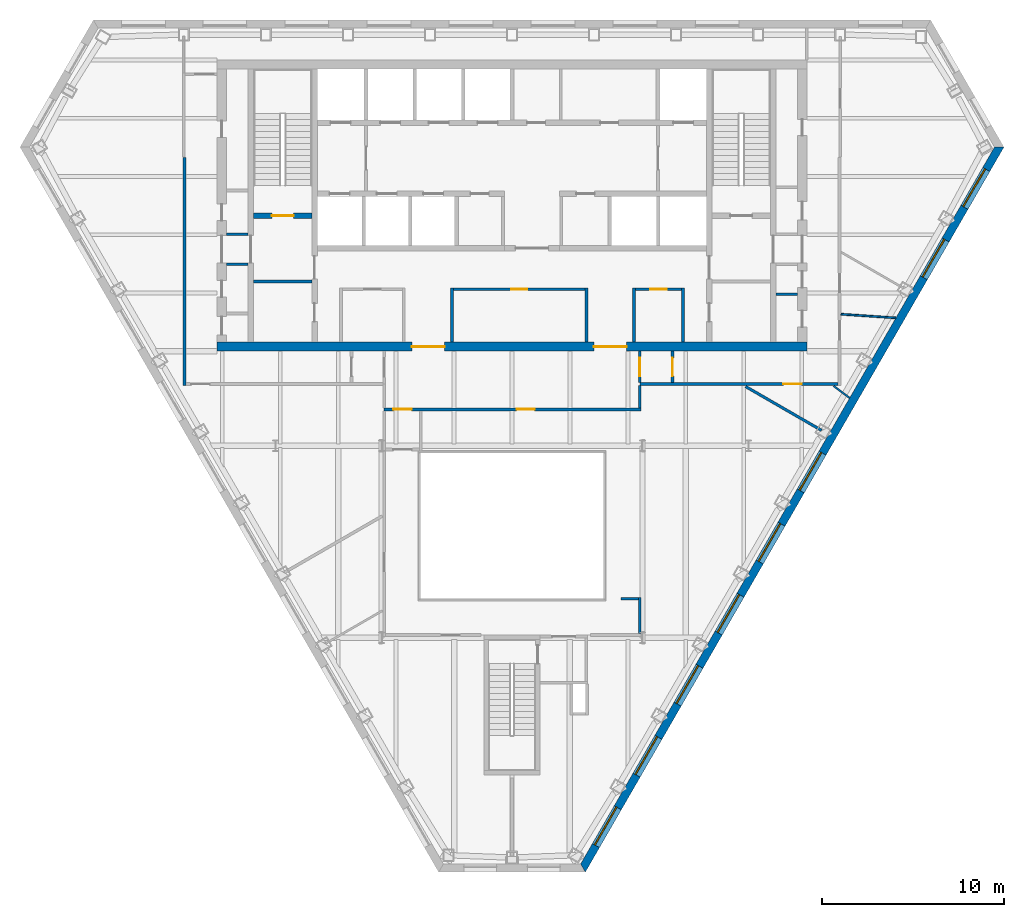
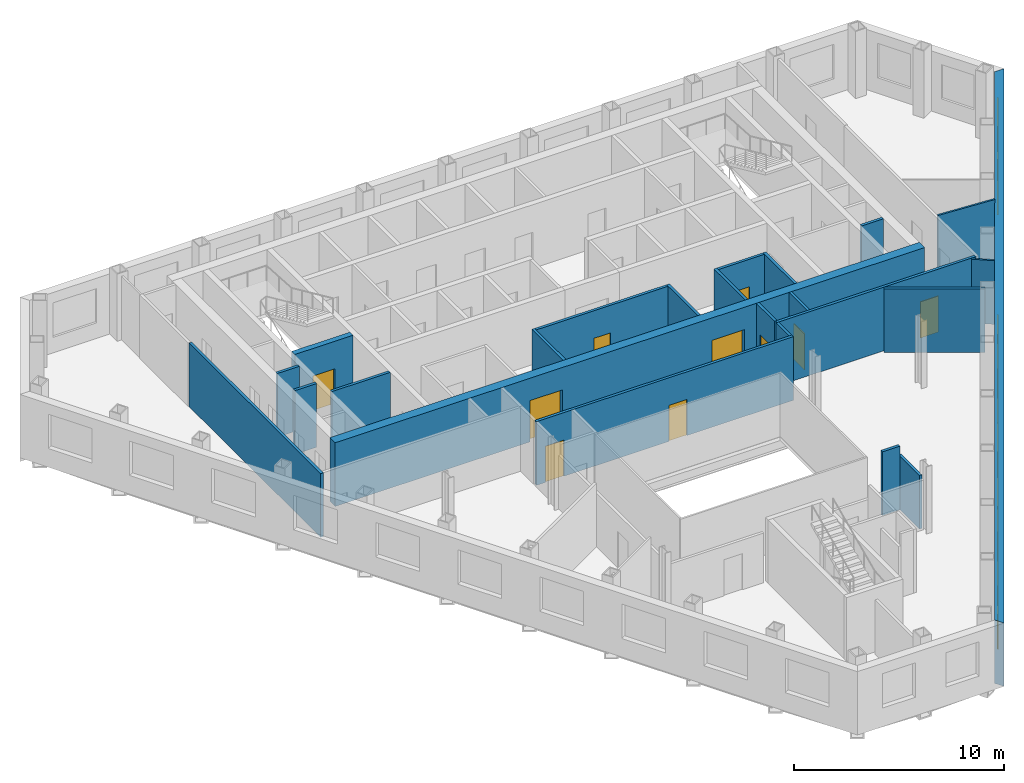
# One storey, part 5 of 11: 24 walls, 10 doors, 8 windows, 18 openings.
"""IFC4 building model written with IfcOpenShell, lengths in metres."""

from ifc_helpers import new_model, si_unit, direction, frame, frame_2d, origin, place, context, subcontext, project, spatial, polyline, rectangle, outline, extrude, material, layer, layer_set, type_object, element, fill, save


model = new_model("IFC4")

# Units and contexts
model_context = context("Model", 3, precision=1e-05, world=origin(), true_north=direction((0.0, 1.0)))
body_context = subcontext(model_context, "Body", "Model", "MODEL_VIEW")
ifc_project = project(units=[si_unit("LENGTHUNIT", "METRE"), si_unit("AREAUNIT", "SQUARE_METRE"), si_unit("VOLUMEUNIT", "CUBIC_METRE"), si_unit("PLANEANGLEUNIT", "RADIAN"), si_unit("MASSUNIT", "GRAM", prefix="KILO")], contexts=[model_context])

# Site, building, storey
site_placement = place(None, origin())
site = spatial("IfcSite", under=ifc_project, at=site_placement, CompositionType="ELEMENT")
building_placement = place(site_placement, origin())
building = spatial("IfcBuilding", under=site, at=building_placement, Name="Njiva Tower", CompositionType="ELEMENT")
storey_placement = place(building_placement, frame((0.0, 0.0, 174.9)))
storey = spatial("IfcBuildingStorey", under=building, at=storey_placement, Name="L38", CompositionType="ELEMENT", Elevation=174.9)

# Walls
ifc_material_1 = material(Name="Blockwork", Category="masonry")
ifc_layer_1 = layer(ifc_material_1, 0.15)
ifc_layer_set_1 = layer_set([ifc_layer_1], Name="Blockwork")
wall_type_1 = type_object("IfcWallType", Name="WT1 Compartment partition 150", PredefinedType="PARTITIONING", material=ifc_layer_set_1)
wall_1_placement = place(storey_placement, frame((-14.2, 5.825, 0.0), z_axis=(0.0, 0.0, 1.0), x_axis=(1.0, 0.0, 0.0)))
element("IfcWall", 1, at=wall_1_placement, inside=storey, type_object=wall_type_1, Name="Room wall A", PredefinedType="PARTITIONING", context=body_context, shape_type="SweptSolid", body=[
    extrude(rectangle(XDim=3.2, YDim=0.15, at=frame_2d((1.6, 0.0))), origin(), (0.0, 0.0, 1.0), 3.7),
])
for number, where, z_axis, x_axis, name in (
    (2, (-3.3, 2.5, 0.0), (0.0, 0.0, 1.0), (0.0, 1.0, 0.0), "Post room wall west"),
    (3, (4.1, 2.5, 0.0), (0.0, 0.0, 1.0), (0.0, 1.0, 0.0), "Post room wall east"),
):
    element("IfcWall", number, at=place(storey_placement, frame(where, z_axis=z_axis, x_axis=x_axis)), inside=storey, type_object=wall_type_1, Name=name, PredefinedType="PARTITIONING", context=body_context, shape_type="SweptSolid", body=[
        extrude(rectangle(XDim=2.975, YDim=0.15, at=frame_2d((1.4875, 0.0))), origin(), (0.0, 0.0, 1.0), 3.7),
    ])

# Wall, opening, door
wall_2_placement = place(storey_placement, frame((-3.225, 5.4, 0.0), z_axis=(0.0, 0.0, 1.0), x_axis=(1.0, 0.0, 0.0)))
wall_2 = element("IfcWall", 4, at=wall_2_placement, inside=storey, type_object=wall_type_1, Name="Post room wall north", PredefinedType="PARTITIONING", context=body_context, shape_type="SweptSolid", body=[
    extrude(rectangle(XDim=7.25, YDim=0.15, at=frame_2d((3.625, 0.0))), origin(), (0.0, 0.0, 1.0), 3.7),
])
opening_1_placement = place(wall_2_placement, frame((3.175, 0.0, 0.0)))
opening_1 = element("IfcOpeningElement", 5, at=opening_1_placement, cuts=wall_2, Name="Opening S13-D934", PredefinedType="OPENING", context=body_context, shape_type="SweptSolid", body=[
    extrude(rectangle(XDim=0.9, YDim=2.1, at=frame_2d((0.45, 1.05))), frame((0.0, 0.085, 0.0), z_axis=(0.0, -1.0, 0.0), x_axis=(1.0, 0.0, 0.0)), (0.0, 0.0, 1.0), 0.17),
])
ifc_material_2 = material(Name="Steel fire door, painted", Category="steel")
door_type_1 = type_object("IfcDoorType", Name="D6 Fire-rated door 900x2100", OperationType="SINGLE_SWING_LEFT", PredefinedType="DOOR", material=ifc_material_2)
door_1_placement = place(opening_1_placement, origin())
door_1 = element("IfcDoor", 6, at=door_1_placement, inside=storey, type_object=door_type_1, Name="Post room door", OperationType="SINGLE_SWING_LEFT", OverallHeight=2.1, OverallWidth=0.9, PredefinedType="DOOR", context=body_context, shape_type="SweptSolid", body=[
    extrude(rectangle(XDim=0.9, YDim=2.1, at=frame_2d((0.45, 1.05))), frame((0.0, 0.025, 0.0), z_axis=(0.0, -1.0, 0.0), x_axis=(1.0, 0.0, 0.0)), (0.0, 0.0, 1.0), 0.05),
])
fill(opening_1, door_1)

# Walls
for number, where, z_axis, x_axis, name in (
    (7, (6.7, 2.5, 0.0), (0.0, 0.0, 1.0), (0.0, 1.0, 0.0), "Information office wall west"),
    (8, (9.4, 2.5, 0.0), (0.0, 0.0, 1.0), (0.0, 1.0, 0.0), "Information office wall east"),
):
    element("IfcWall", number, at=place(storey_placement, frame(where, z_axis=z_axis, x_axis=x_axis)), inside=storey, type_object=wall_type_1, Name=name, PredefinedType="PARTITIONING", context=body_context, shape_type="SweptSolid", body=[
        extrude(rectangle(XDim=2.975, YDim=0.15, at=frame_2d((1.4875, 0.0))), origin(), (0.0, 0.0, 1.0), 3.7),
    ])

# Wall, opening, door
wall_3_placement = place(storey_placement, frame((6.775, 5.4, 0.0), z_axis=(0.0, 0.0, 1.0), x_axis=(1.0, 0.0, 0.0)))
wall_3 = element("IfcWall", 9, at=wall_3_placement, inside=storey, type_object=wall_type_1, Name="Information office wall north", PredefinedType="PARTITIONING", context=body_context, shape_type="SweptSolid", body=[
    extrude(rectangle(XDim=2.55, YDim=0.15, at=frame_2d((1.275, 0.0))), origin(), (0.0, 0.0, 1.0), 3.7),
])
opening_2_placement = place(wall_3_placement, frame((0.825, 0.0, 0.0)))
opening_2 = element("IfcOpeningElement", 10, at=opening_2_placement, cuts=wall_3, Name="Opening S13-D935", PredefinedType="OPENING", context=body_context, shape_type="SweptSolid", body=[
    extrude(rectangle(XDim=0.9, YDim=2.1, at=frame_2d((0.45, 1.05))), frame((0.0, 0.085, 0.0), z_axis=(0.0, -1.0, 0.0), x_axis=(1.0, 0.0, 0.0)), (0.0, 0.0, 1.0), 0.17),
])
door_2_placement = place(opening_2_placement, origin())
door_2 = element("IfcDoor", 11, at=door_2_placement, inside=storey, type_object=door_type_1, Name="Information office door", OperationType="SINGLE_SWING_RIGHT", OverallHeight=2.1, OverallWidth=0.9, PredefinedType="DOOR", context=body_context, shape_type="SweptSolid", body=[
    extrude(rectangle(XDim=0.9, YDim=2.1, at=frame_2d((0.45, 1.05))), frame((0.0, 0.025, 0.0), z_axis=(0.0, -1.0, 0.0), x_axis=(1.0, 0.0, 0.0)), (0.0, 0.0, 1.0), 0.05),
])
fill(opening_2, door_2)

ifc_material_3 = material(Name="Concrete C40/50", Category="concrete")
ifc_layer_2 = layer(ifc_material_3, 0.3)
ifc_layer_set_2 = layer_set([ifc_layer_2], Name="Concrete C40/50")
wall_type_2 = type_object("IfcWallType", Name="WT10 Stair enclosure wall 300", PredefinedType="SHEAR", material=ifc_layer_set_2)
wall_4_placement = place(storey_placement, frame((-14.2, 9.45, 0.0), z_axis=(0.0, 0.0, 1.0), x_axis=(1.0, 0.0, 0.0)))
wall_4 = element("IfcWall", 12, at=wall_4_placement, inside=storey, type_object=wall_type_2, Name="Stair A south wall", PredefinedType="SHEAR", context=body_context, shape_type="SweptSolid", body=[
    extrude(rectangle(XDim=3.2, YDim=0.3, at=frame_2d((1.6, 0.0))), origin(), (0.0, 0.0, 1.0), 3.7),
])
opening_3_placement = place(wall_4_placement, frame((1.0, 0.0, 0.0)))
opening_3 = element("IfcOpeningElement", 13, at=opening_3_placement, cuts=wall_4, Name="Opening S13-D914", PredefinedType="OPENING", context=body_context, shape_type="SweptSolid", body=[
    extrude(rectangle(XDim=1.2, YDim=2.1, at=frame_2d((0.6, 1.05))), frame((0.0, 0.16, 0.0), z_axis=(0.0, -1.0, 0.0), x_axis=(1.0, 0.0, 0.0)), (0.0, 0.0, 1.0), 0.32),
])
ifc_material_4 = material(Name="Glazed steel fire door", Category="steel")
door_type_2 = type_object("IfcDoorType", Name="D7 Stair vestibule door 1200x2100 glazed", OperationType="SINGLE_SWING_LEFT", PredefinedType="DOOR", material=ifc_material_4)
door_3_placement = place(opening_3_placement, origin())
door_3 = element("IfcDoor", 14, at=door_3_placement, inside=storey, type_object=door_type_2, Name="Stair A door", OperationType="SINGLE_SWING_LEFT", OverallHeight=2.1, OverallWidth=1.2, PredefinedType="DOOR", context=body_context, shape_type="SweptSolid", body=[
    extrude(rectangle(XDim=1.2, YDim=2.1, at=frame_2d((0.6, 1.05))), frame((0.0, 0.025, 0.0), z_axis=(0.0, -1.0, 0.0), x_axis=(1.0, 0.0, 0.0)), (0.0, 0.0, 1.0), 0.05),
])
fill(opening_3, door_3)

# Wall, openings, doors
ifc_material_5 = material(Name="Concrete C60/75", Category="concrete")
ifc_layer_3 = layer(ifc_material_5, 0.5)
ifc_layer_set_3 = layer_set([ifc_layer_3], Name="Concrete C60/75")
wall_type_3 = type_object("IfcWallType", Name="WT13 Core wall 500", PredefinedType="SHEAR", material=ifc_layer_set_3)
wall_5_placement = place(storey_placement, frame((-16.2, 2.25, 0.0), z_axis=(0.0, 0.0, 1.0), x_axis=(1.0, 0.0, 0.0)))
wall_5 = element("IfcWall", 15, at=wall_5_placement, inside=storey, type_object=wall_type_3, Name="Core wall south", PredefinedType="SHEAR", context=body_context, shape_type="SweptSolid", body=[
    extrude(rectangle(XDim=32.4, YDim=0.5, at=frame_2d((16.2, 0.0))), origin(), (0.0, 0.0, 1.0), 3.7),
])
opening_4_placement = place(wall_5_placement, frame((10.7, 0.0, 0.0)))
opening_4 = element("IfcOpeningElement", 16, at=opening_4_placement, cuts=wall_5, Name="Opening S13-D937", PredefinedType="OPENING", context=body_context, shape_type="SweptSolid", body=[
    extrude(rectangle(XDim=1.8, YDim=2.4, at=frame_2d((0.9, 1.2))), frame((0.0, 0.26, 0.0), z_axis=(0.0, -1.0, 0.0), x_axis=(1.0, 0.0, 0.0)), (0.0, 0.0, 1.0), 0.52),
])
opening_5_placement = place(wall_5_placement, frame((20.7, 0.0, 0.0)))
opening_5 = element("IfcOpeningElement", 17, at=opening_5_placement, cuts=wall_5, Name="Opening S13-D938", PredefinedType="OPENING", context=body_context, shape_type="SweptSolid", body=[
    extrude(rectangle(XDim=1.8, YDim=2.4, at=frame_2d((0.9, 1.2))), frame((0.0, 0.26, 0.0), z_axis=(0.0, -1.0, 0.0), x_axis=(1.0, 0.0, 0.0)), (0.0, 0.0, 1.0), 0.52),
])
ifc_material_6 = material(Name="Steel and glass door", Category="steel")
door_type_3 = type_object("IfcDoorType", Name="D3 Core entrance door 1800x2400", OperationType="DOUBLE_DOOR_SINGLE_SWING", PredefinedType="DOOR", material=ifc_material_6)
door_4_placement = place(opening_4_placement, origin())
door_4 = element("IfcDoor", 18, at=door_4_placement, inside=storey, type_object=door_type_3, Name="Core entrance door", OperationType="DOUBLE_DOOR_SINGLE_SWING", OverallHeight=2.4, OverallWidth=1.8, PredefinedType="DOOR", context=body_context, shape_type="SweptSolid", body=[
    extrude(rectangle(XDim=1.8, YDim=2.4, at=frame_2d((0.9, 1.2))), frame((0.0, 0.025, 0.0), z_axis=(0.0, -1.0, 0.0), x_axis=(1.0, 0.0, 0.0)), (0.0, 0.0, 1.0), 0.05),
])
fill(opening_4, door_4)
door_5_placement = place(opening_5_placement, origin())
door_5 = element("IfcDoor", 19, at=door_5_placement, inside=storey, type_object=door_type_3, Name="Core entrance door", OperationType="DOUBLE_DOOR_SINGLE_SWING", OverallHeight=2.4, OverallWidth=1.8, PredefinedType="DOOR", context=body_context, shape_type="SweptSolid", body=[
    extrude(rectangle(XDim=1.8, YDim=2.4, at=frame_2d((0.9, 1.2))), frame((0.0, 0.025, 0.0), z_axis=(0.0, -1.0, 0.0), x_axis=(1.0, 0.0, 0.0)), (0.0, 0.0, 1.0), 0.05),
])
fill(opening_5, door_5)

# Walls
ifc_material_7 = material(Name="Gypsum board on steel studs", Category="gypsum")
ifc_layer_4 = layer(ifc_material_7, 0.1)
ifc_layer_set_4 = layer_set([ifc_layer_4], Name="Gypsum board on steel studs")
wall_type_4 = type_object("IfcWallType", Name="WT20 Gypsum partition 100", PredefinedType="PARTITIONING", material=ifc_layer_set_4)
wall_6_placement = place(storey_placement, frame((17.678, 0.085, 0.0), z_axis=(0.0, 0.0, 1.0), x_axis=(0.8020803948, -0.597216075033, 0.0)))
element("IfcWall", 20, at=wall_6_placement, inside=storey, type_object=wall_type_4, Name="Partition S13-P026", PredefinedType="PARTITIONING", context=body_context, shape_type="SweptSolid", body=[
    extrude(rectangle(XDim=1.0934, YDim=0.1, at=frame_2d((0.5467, 0.0))), origin(), (0.0, 0.0, 1.0), 3.7),
])
wall_7_placement = place(storey_placement, frame((18.078, 4.033, 0.0), z_axis=(0.0, 0.0, 1.0), x_axis=(0.997764616993, -0.066826410024, 0.0)))
element("IfcWall", 21, at=wall_7_placement, inside=storey, type_object=wall_type_4, Name="Partition S13-P029", PredefinedType="PARTITIONING", context=body_context, shape_type="SweptSolid", body=[
    extrude(rectangle(XDim=3.0228, YDim=0.1, at=frame_2d((1.5114, 0.0))), origin(), (0.0, 0.0, 1.0), 3.7),
])
ifc_layer_5 = layer(ifc_material_7, 0.15)
ifc_layer_set_5 = layer_set([ifc_layer_5], Name="Gypsum board on steel studs")
wall_type_5 = type_object("IfcWallType", Name="WT21 Compartment wall 150", PredefinedType="PARTITIONING", material=ifc_layer_set_5)
wall_8_placement = place(storey_placement, frame((-18.0, 0.125, 0.0), z_axis=(0.0, 0.0, 1.0), x_axis=(0.0, 1.0, 0.0)))
element("IfcWall", 22, at=wall_8_placement, inside=storey, type_object=wall_type_5, Name="Partition S13-P003", PredefinedType="PARTITIONING", context=body_context, shape_type="SweptSolid", body=[
    extrude(rectangle(XDim=12.532, YDim=0.15, at=frame_2d((6.266, 0.0))), origin(), (0.0, 0.0, 1.0), 3.7),
])

# Wall, openings, doors
wall_9_placement = place(storey_placement, frame((-7.02, -1.2, 0.0), z_axis=(0.0, 0.0, 1.0), x_axis=(1.0, 0.0, 0.0)))
wall_9 = element("IfcWall", 23, at=wall_9_placement, inside=storey, type_object=wall_type_5, Name="Partition S13-P010", PredefinedType="PARTITIONING", context=body_context, shape_type="SweptSolid", body=[
    extrude(rectangle(XDim=14.115, YDim=0.15, at=frame_2d((7.0575, 0.0))), origin(), (0.0, 0.0, 1.0), 3.7),
])
opening_6_placement = place(wall_9_placement, frame((0.5, 0.0, 0.0)))
opening_6 = element("IfcOpeningElement", 24, at=opening_6_placement, cuts=wall_9, Name="Opening S13-D005", PredefinedType="OPENING", context=body_context, shape_type="SweptSolid", body=[
    extrude(rectangle(XDim=1.0, YDim=2.1, at=frame_2d((0.5, 1.05))), frame((0.0, 0.085, 0.0), z_axis=(0.0, -1.0, 0.0), x_axis=(1.0, 0.0, 0.0)), (0.0, 0.0, 1.0), 0.17),
])
opening_7_placement = place(wall_9_placement, frame((7.27, 0.0, 0.0)))
opening_7 = element("IfcOpeningElement", 25, at=opening_7_placement, cuts=wall_9, Name="Opening S13-D006", PredefinedType="OPENING", context=body_context, shape_type="SweptSolid", body=[
    extrude(rectangle(XDim=1.0, YDim=2.1, at=frame_2d((0.5, 1.05))), frame((0.0, 0.085, 0.0), z_axis=(0.0, -1.0, 0.0), x_axis=(1.0, 0.0, 0.0)), (0.0, 0.0, 1.0), 0.17),
])
ifc_material_8 = material(Name="Steel fire door set", Category="steel")
door_type_4 = type_object("IfcDoorType", Name="D37 Fire door 1000x2100", OperationType="SINGLE_SWING_LEFT", PredefinedType="DOOR", material=ifc_material_8)
door_6_placement = place(opening_6_placement, origin())
door_6 = element("IfcDoor", 26, at=door_6_placement, inside=storey, type_object=door_type_4, Name="Door S13-D005", OperationType="SINGLE_SWING_RIGHT", OverallHeight=2.1, OverallWidth=1.0, PredefinedType="DOOR", context=body_context, shape_type="SweptSolid", body=[
    extrude(rectangle(XDim=1.0, YDim=2.1, at=frame_2d((0.5, 1.05))), frame((0.0, 0.025, 0.0), z_axis=(0.0, -1.0, 0.0), x_axis=(1.0, 0.0, 0.0)), (0.0, 0.0, 1.0), 0.05),
])
fill(opening_6, door_6)
door_7_placement = place(opening_7_placement, origin())
door_7 = element("IfcDoor", 27, at=door_7_placement, inside=storey, type_object=door_type_4, Name="Door S13-D006", OperationType="SINGLE_SWING_RIGHT", OverallHeight=2.1, OverallWidth=1.0, PredefinedType="DOOR", context=body_context, shape_type="SweptSolid", body=[
    extrude(rectangle(XDim=1.0, YDim=2.1, at=frame_2d((0.5, 1.05))), frame((0.0, 0.025, 0.0), z_axis=(0.0, -1.0, 0.0), x_axis=(1.0, 0.0, 0.0)), (0.0, 0.0, 1.0), 0.05),
])
fill(opening_7, door_7)

# Walls
wall_10_placement = place(storey_placement, frame((5.98, -11.6, 0.0), z_axis=(0.0, 0.0, 1.0), x_axis=(1.0, 0.0, 0.0)))
element("IfcWall", 28, at=wall_10_placement, inside=storey, type_object=wall_type_5, Name="Partition S13-P018", PredefinedType="PARTITIONING", context=body_context, shape_type="SweptSolid", body=[
    extrude(rectangle(XDim=0.965, YDim=0.15, at=frame_2d((0.4825, 0.0))), origin(), (0.0, 0.0, 1.0), 3.7),
])
wall_11_placement = place(storey_placement, frame((7.02, -13.525, 0.0), z_axis=(0.0, 0.0, 1.0), x_axis=(0.0, 1.0, 0.0)))
element("IfcWall", 29, at=wall_11_placement, inside=storey, type_object=wall_type_5, Name="Partition S13-P019", PredefinedType="PARTITIONING", context=body_context, shape_type="SweptSolid", body=[
    extrude(rectangle(XDim=2.0, YDim=0.15, at=frame_2d((1.0, 0.0))), origin(), (0.0, 0.0, 1.0), 3.11),
])
wall_12_placement = place(storey_placement, frame((7.02, -1.125, 0.0), z_axis=(0.0, 0.0, 1.0), x_axis=(0.0, 1.0, 0.0)))
element("IfcWall", 30, at=wall_12_placement, inside=storey, type_object=wall_type_5, Name="Partition S13-P020", PredefinedType="PARTITIONING", context=body_context, shape_type="SweptSolid", body=[
    extrude(rectangle(XDim=1.25, YDim=0.15, at=frame_2d((0.625, 0.0))), origin(), (0.0, 0.0, 1.0), 3.7),
])

# Wall, opening, door
wall_13_placement = place(storey_placement, frame((7.02, 0.2, 0.0), z_axis=(0.0, 0.0, 1.0), x_axis=(1.0, 0.0, 0.0)))
wall_13 = element("IfcWall", 31, at=wall_13_placement, inside=storey, type_object=wall_type_5, Name="Partition S13-P021", PredefinedType="PARTITIONING", context=body_context, shape_type="SweptSolid", body=[
    extrude(rectangle(XDim=10.905, YDim=0.15, at=frame_2d((5.4525, 0.0))), origin(), (0.0, 0.0, 1.0), 3.7),
])
opening_8_placement = place(wall_13_placement, frame((7.891, 0.0, 0.0)))
opening_8 = element("IfcOpeningElement", 32, at=opening_8_placement, cuts=wall_13, Name="Opening S13-D010", PredefinedType="OPENING", context=body_context, shape_type="SweptSolid", body=[
    extrude(rectangle(XDim=1.0, YDim=2.1, at=frame_2d((0.5, 1.05))), frame((0.0, 0.085, 0.0), z_axis=(0.0, -1.0, 0.0), x_axis=(1.0, 0.0, 0.0)), (0.0, 0.0, 1.0), 0.17),
])
door_8_placement = place(opening_8_placement, origin())
door_8 = element("IfcDoor", 33, at=door_8_placement, inside=storey, type_object=door_type_4, Name="Door S13-D010", OperationType="SINGLE_SWING_RIGHT", OverallHeight=2.1, OverallWidth=1.0, PredefinedType="DOOR", context=body_context, shape_type="SweptSolid", body=[
    extrude(rectangle(XDim=1.0, YDim=2.1, at=frame_2d((0.5, 1.05))), frame((0.0, 0.025, 0.0), z_axis=(0.0, -1.0, 0.0), x_axis=(1.0, 0.0, 0.0)), (0.0, 0.0, 1.0), 0.05),
])
fill(opening_8, door_8)

wall_14_placement = place(storey_placement, frame((7.02, 0.275, 0.0), z_axis=(0.0, 0.0, 1.0), x_axis=(0.0, 1.0, 0.0)))
wall_14 = element("IfcWall", 34, at=wall_14_placement, inside=storey, type_object=wall_type_5, Name="Partition S13-P022", PredefinedType="PARTITIONING", context=body_context, shape_type="SweptSolid", body=[
    extrude(rectangle(XDim=1.725, YDim=0.15, at=frame_2d((0.8625, 0.0))), origin(), (0.0, 0.0, 1.0), 3.7),
])
opening_9_placement = place(wall_14_placement, frame((0.362, 0.0, 0.0)))
opening_9 = element("IfcOpeningElement", 35, at=opening_9_placement, cuts=wall_14, Name="Opening S13-D011", PredefinedType="OPENING", context=body_context, shape_type="SweptSolid", body=[
    extrude(rectangle(XDim=1.0, YDim=2.1, at=frame_2d((0.5, 1.05))), frame((0.0, 0.085, 0.0), z_axis=(0.0, -1.0, 0.0), x_axis=(1.0, 0.0, 0.0)), (0.0, 0.0, 1.0), 0.17),
])
door_9_placement = place(opening_9_placement, origin())
door_9 = element("IfcDoor", 36, at=door_9_placement, inside=storey, type_object=door_type_4, Name="Door S13-D011", OperationType="SINGLE_SWING_LEFT", OverallHeight=2.1, OverallWidth=1.0, PredefinedType="DOOR", context=body_context, shape_type="SweptSolid", body=[
    extrude(rectangle(XDim=1.0, YDim=2.1, at=frame_2d((0.5, 1.05))), frame((0.0, 0.025, 0.0), z_axis=(0.0, -1.0, 0.0), x_axis=(1.0, 0.0, 0.0)), (0.0, 0.0, 1.0), 0.05),
])
fill(opening_9, door_9)

wall_15_placement = place(storey_placement, frame((8.82, 0.275, 0.0), z_axis=(0.0, 0.0, 1.0), x_axis=(0.0, 1.0, 0.0)))
wall_15 = element("IfcWall", 37, at=wall_15_placement, inside=storey, type_object=wall_type_5, Name="Partition S13-P023", PredefinedType="PARTITIONING", context=body_context, shape_type="SweptSolid", body=[
    extrude(rectangle(XDim=1.725, YDim=0.15, at=frame_2d((0.8625, 0.0))), origin(), (0.0, 0.0, 1.0), 3.7),
])
opening_10_placement = place(wall_15_placement, frame((0.363, 0.0, 0.0)))
opening_10 = element("IfcOpeningElement", 38, at=opening_10_placement, cuts=wall_15, Name="Opening S13-D012", PredefinedType="OPENING", context=body_context, shape_type="SweptSolid", body=[
    extrude(rectangle(XDim=1.0, YDim=2.1, at=frame_2d((0.5, 1.05))), frame((0.0, 0.085, 0.0), z_axis=(0.0, -1.0, 0.0), x_axis=(1.0, 0.0, 0.0)), (0.0, 0.0, 1.0), 0.17),
])
door_10_placement = place(opening_10_placement, origin())
door_10 = element("IfcDoor", 39, at=door_10_placement, inside=storey, type_object=door_type_4, Name="Door S13-D012", OperationType="SINGLE_SWING_RIGHT", OverallHeight=2.1, OverallWidth=1.0, PredefinedType="DOOR", context=body_context, shape_type="SweptSolid", body=[
    extrude(rectangle(XDim=1.0, YDim=2.1, at=frame_2d((0.5, 1.05))), frame((0.0, 0.025, 0.0), z_axis=(0.0, -1.0, 0.0), x_axis=(1.0, 0.0, 0.0)), (0.0, 0.0, 1.0), 0.05),
])
fill(opening_10, door_10)

# Walls
wall_16_placement = place(storey_placement, frame((12.836, 0.06, 0.0), z_axis=(0.0, 0.0, 1.0), x_axis=(0.866088799389, -0.499890179513, 0.0)))
element("IfcWall", 40, at=wall_16_placement, inside=storey, type_object=wall_type_5, Name="Partition S13-P024", PredefinedType="PARTITIONING", context=body_context, shape_type="SweptSolid", body=[
    extrude(rectangle(XDim=4.8171, YDim=0.15, at=frame_2d((2.4086, 0.0))), origin(), (0.0, 0.0, 1.0), 3.7),
])
ifc_layer_6 = layer(ifc_material_1, 0.15)
ifc_layer_set_6 = layer_set([ifc_layer_6], Name="Blockwork")
wall_type_6 = type_object("IfcWallType", Name="WT3 Riser partition 150", PredefinedType="PARTITIONING", material=ifc_layer_set_6)
wall_17_placement = place(storey_placement, frame((14.5, 5.125, 0.0), z_axis=(0.0, 0.0, 1.0), x_axis=(1.0, 0.0, 0.0)))
element("IfcWall", 41, at=wall_17_placement, inside=storey, type_object=wall_type_6, Name="Partition strip E00", PredefinedType="PARTITIONING", context=body_context, shape_type="SweptSolid", body=[
    extrude(rectangle(XDim=1.2, YDim=0.15, at=frame_2d((0.6, 0.0))), origin(), (0.0, 0.0, 1.0), 3.7),
])
ifc_layer_7 = layer(ifc_material_1, 0.15)
ifc_layer_set_7 = layer_set([ifc_layer_7], Name="Blockwork")
wall_type_7 = type_object("IfcWallType", Name="WT4 Stair partition 150", PredefinedType="PARTITIONING", material=ifc_layer_set_7)
for number, where, z_axis, x_axis, name in (
    (42, (-15.7, 6.775, 0.0), (0.0, 0.0, 1.0), (1.0, 0.0, 0.0), "Stair A exit passage wall south"),
    (43, (-15.7, 8.425, 0.0), (0.0, 0.0, 1.0), (1.0, 0.0, 0.0), "Stair A exit passage wall north"),
):
    element("IfcWall", number, at=place(storey_placement, frame(where, z_axis=z_axis, x_axis=x_axis)), inside=storey, type_object=wall_type_7, Name=name, PredefinedType="PARTITIONING", context=body_context, shape_type="SweptSolid", body=[
        extrude(rectangle(XDim=1.2, YDim=0.15, at=frame_2d((0.6, 0.0))), origin(), (0.0, 0.0, 1.0), 3.7),
    ])

# Wall, openings, windows
ifc_material_9 = material(Name="Brick masonry", Category="masonry")
ifc_layer_8 = layer(ifc_material_9, 0.45)
ifc_layer_set_8 = layer_set([ifc_layer_8], Name="Brick masonry")
wall_type_8 = type_object("IfcWallType", Name="WT90 Brick pier and spandrel wall 450", PredefinedType="SOLIDWALL", material=ifc_layer_set_8)
wall_18_placement = place(storey_placement, frame((3.9001, -26.401, -0.18), z_axis=(0.0, 0.0, 1.0), x_axis=(0.500000335318, 0.866025210188, 0.0)))
wall_18 = element("IfcWall", 44, at=wall_18_placement, inside=storey, type_object=wall_type_8, Name="Facade wall SE", PredefinedType="SOLIDWALL", context=body_context, shape_type="SweptSolid", body=[
    extrude(outline(polyline([(-0.1299, -0.225), (45.8801, -0.225), (45.6203, 0.225), (0.1299, 0.225), (-0.1299, -0.225)])), origin(), (0.0, 0.0, 1.0), 3.68),
])
opening_11_placement = place(wall_18_placement, frame((1.4247, 0.0, 1.08)))
opening_11 = element("IfcOpeningElement", 45, at=opening_11_placement, cuts=wall_18, Name="Opening S13-W24", PredefinedType="OPENING", context=body_context, shape_type="SweptSolid", body=[
    extrude(rectangle(XDim=2.4, YDim=2.0, at=frame_2d((1.2, 1.0))), frame((0.0, 0.235, 0.0), z_axis=(0.0, -1.0, 0.0), x_axis=(1.0, 0.0, 0.0)), (0.0, 0.0, 1.0), 0.47),
])
opening_12_placement = place(wall_18_placement, frame((5.8949, 0.0, 1.08)))
opening_12 = element("IfcOpeningElement", 46, at=opening_12_placement, cuts=wall_18, Name="Opening S13-W25", PredefinedType="OPENING", context=body_context, shape_type="SweptSolid", body=[
    extrude(rectangle(XDim=2.4, YDim=2.0, at=frame_2d((1.2, 1.0))), frame((0.0, 0.235, 0.0), z_axis=(0.0, -1.0, 0.0), x_axis=(1.0, 0.0, 0.0)), (0.0, 0.0, 1.0), 0.47),
])
opening_13_placement = place(wall_18_placement, frame((10.4035, 0.0, 1.08)))
opening_13 = element("IfcOpeningElement", 47, at=opening_13_placement, cuts=wall_18, Name="Opening S13-W26", PredefinedType="OPENING", context=body_context, shape_type="SweptSolid", body=[
    extrude(rectangle(XDim=2.4, YDim=2.0, at=frame_2d((1.2, 1.0))), frame((0.0, 0.235, 0.0), z_axis=(0.0, -1.0, 0.0), x_axis=(1.0, 0.0, 0.0)), (0.0, 0.0, 1.0), 0.47),
])
opening_14_placement = place(wall_18_placement, frame((14.9122, 0.0, 1.08)))
opening_14 = element("IfcOpeningElement", 48, at=opening_14_placement, cuts=wall_18, Name="Opening S13-W27", PredefinedType="OPENING", context=body_context, shape_type="SweptSolid", body=[
    extrude(rectangle(XDim=2.4, YDim=2.0, at=frame_2d((1.2, 1.0))), frame((0.0, 0.235, 0.0), z_axis=(0.0, -1.0, 0.0), x_axis=(1.0, 0.0, 0.0)), (0.0, 0.0, 1.0), 0.47),
])
opening_15_placement = place(wall_18_placement, frame((19.4208, 0.0, 1.08)))
opening_15 = element("IfcOpeningElement", 49, at=opening_15_placement, cuts=wall_18, Name="Opening S13-W28", PredefinedType="OPENING", context=body_context, shape_type="SweptSolid", body=[
    extrude(rectangle(XDim=2.4, YDim=2.0, at=frame_2d((1.2, 1.0))), frame((0.0, 0.235, 0.0), z_axis=(0.0, -1.0, 0.0), x_axis=(1.0, 0.0, 0.0)), (0.0, 0.0, 1.0), 0.47),
])
opening_16_placement = place(wall_18_placement, frame((23.9294, 0.0, 1.08)))
opening_16 = element("IfcOpeningElement", 50, at=opening_16_placement, cuts=wall_18, Name="Opening S13-W29", PredefinedType="OPENING", context=body_context, shape_type="SweptSolid", body=[
    extrude(rectangle(XDim=2.4, YDim=2.0, at=frame_2d((1.2, 1.0))), frame((0.0, 0.235, 0.0), z_axis=(0.0, -1.0, 0.0), x_axis=(1.0, 0.0, 0.0)), (0.0, 0.0, 1.0), 0.47),
])
opening_17_placement = place(wall_18_placement, frame((37.4553, 0.0, 1.08)))
opening_17 = element("IfcOpeningElement", 51, at=opening_17_placement, cuts=wall_18, Name="Opening S13-W30", PredefinedType="OPENING", context=body_context, shape_type="SweptSolid", body=[
    extrude(rectangle(XDim=2.4, YDim=2.0, at=frame_2d((1.2, 1.0))), frame((0.0, 0.235, 0.0), z_axis=(0.0, -1.0, 0.0), x_axis=(1.0, 0.0, 0.0)), (0.0, 0.0, 1.0), 0.47),
])
opening_18_placement = place(wall_18_placement, frame((41.9255, 0.0, 1.08)))
opening_18 = element("IfcOpeningElement", 52, at=opening_18_placement, cuts=wall_18, Name="Opening S13-W31", PredefinedType="OPENING", context=body_context, shape_type="SweptSolid", body=[
    extrude(rectangle(XDim=2.4, YDim=2.0, at=frame_2d((1.2, 1.0))), frame((0.0, 0.235, 0.0), z_axis=(0.0, -1.0, 0.0), x_axis=(1.0, 0.0, 0.0)), (0.0, 0.0, 1.0), 0.47),
])
ifc_material_10 = material(Name="Clear glazing in aluminium frame", Category="aluminium")
window_type = type_object("IfcWindowType", Name="W90 Deep-set window 2400x2000", PartitioningType="SINGLE_PANEL", PredefinedType="WINDOW", material=ifc_material_10)
window_1_placement = place(opening_11_placement, origin())
window_1 = element("IfcWindow", 53, at=window_1_placement, inside=storey, type_object=window_type, Name="Window", OverallHeight=2.0, OverallWidth=2.4, PartitioningType="SINGLE_PANEL", PredefinedType="WINDOW", context=body_context, shape_type="SweptSolid", body=[
    extrude(rectangle(XDim=2.4, YDim=2.0, at=frame_2d((1.2, 1.0))), frame((0.0, 0.105, 0.0), z_axis=(0.0, -1.0, 0.0), x_axis=(1.0, 0.0, 0.0)), (0.0, 0.0, 1.0), 0.06),
])
fill(opening_11, window_1)
window_2_placement = place(opening_12_placement, origin())
window_2 = element("IfcWindow", 54, at=window_2_placement, inside=storey, type_object=window_type, Name="Window", OverallHeight=2.0, OverallWidth=2.4, PartitioningType="SINGLE_PANEL", PredefinedType="WINDOW", context=body_context, shape_type="SweptSolid", body=[
    extrude(rectangle(XDim=2.4, YDim=2.0, at=frame_2d((1.2, 1.0))), frame((0.0, 0.105, 0.0), z_axis=(0.0, -1.0, 0.0), x_axis=(1.0, 0.0, 0.0)), (0.0, 0.0, 1.0), 0.06),
])
fill(opening_12, window_2)
window_3_placement = place(opening_13_placement, origin())
window_3 = element("IfcWindow", 55, at=window_3_placement, inside=storey, type_object=window_type, Name="Window", OverallHeight=2.0, OverallWidth=2.4, PartitioningType="SINGLE_PANEL", PredefinedType="WINDOW", context=body_context, shape_type="SweptSolid", body=[
    extrude(rectangle(XDim=2.4, YDim=2.0, at=frame_2d((1.2, 1.0))), frame((0.0, 0.105, 0.0), z_axis=(0.0, -1.0, 0.0), x_axis=(1.0, 0.0, 0.0)), (0.0, 0.0, 1.0), 0.06),
])
fill(opening_13, window_3)
window_4_placement = place(opening_14_placement, origin())
window_4 = element("IfcWindow", 56, at=window_4_placement, inside=storey, type_object=window_type, Name="Window", OverallHeight=2.0, OverallWidth=2.4, PartitioningType="SINGLE_PANEL", PredefinedType="WINDOW", context=body_context, shape_type="SweptSolid", body=[
    extrude(rectangle(XDim=2.4, YDim=2.0, at=frame_2d((1.2, 1.0))), frame((0.0, 0.105, 0.0), z_axis=(0.0, -1.0, 0.0), x_axis=(1.0, 0.0, 0.0)), (0.0, 0.0, 1.0), 0.06),
])
fill(opening_14, window_4)
window_5_placement = place(opening_15_placement, origin())
window_5 = element("IfcWindow", 57, at=window_5_placement, inside=storey, type_object=window_type, Name="Window", OverallHeight=2.0, OverallWidth=2.4, PartitioningType="SINGLE_PANEL", PredefinedType="WINDOW", context=body_context, shape_type="SweptSolid", body=[
    extrude(rectangle(XDim=2.4, YDim=2.0, at=frame_2d((1.2, 1.0))), frame((0.0, 0.105, 0.0), z_axis=(0.0, -1.0, 0.0), x_axis=(1.0, 0.0, 0.0)), (0.0, 0.0, 1.0), 0.06),
])
fill(opening_15, window_5)
window_6_placement = place(opening_16_placement, origin())
window_6 = element("IfcWindow", 58, at=window_6_placement, inside=storey, type_object=window_type, Name="Window", OverallHeight=2.0, OverallWidth=2.4, PartitioningType="SINGLE_PANEL", PredefinedType="WINDOW", context=body_context, shape_type="SweptSolid", body=[
    extrude(rectangle(XDim=2.4, YDim=2.0, at=frame_2d((1.2, 1.0))), frame((0.0, 0.105, 0.0), z_axis=(0.0, -1.0, 0.0), x_axis=(1.0, 0.0, 0.0)), (0.0, 0.0, 1.0), 0.06),
])
fill(opening_16, window_6)
window_7_placement = place(opening_17_placement, origin())
window_7 = element("IfcWindow", 59, at=window_7_placement, inside=storey, type_object=window_type, Name="Window", OverallHeight=2.0, OverallWidth=2.4, PartitioningType="SINGLE_PANEL", PredefinedType="WINDOW", context=body_context, shape_type="SweptSolid", body=[
    extrude(rectangle(XDim=2.4, YDim=2.0, at=frame_2d((1.2, 1.0))), frame((0.0, 0.105, 0.0), z_axis=(0.0, -1.0, 0.0), x_axis=(1.0, 0.0, 0.0)), (0.0, 0.0, 1.0), 0.06),
])
fill(opening_17, window_7)
window_8_placement = place(opening_18_placement, origin())
window_8 = element("IfcWindow", 60, at=window_8_placement, inside=storey, type_object=window_type, Name="Window", OverallHeight=2.0, OverallWidth=2.4, PartitioningType="SINGLE_PANEL", PredefinedType="WINDOW", context=body_context, shape_type="SweptSolid", body=[
    extrude(rectangle(XDim=2.4, YDim=2.0, at=frame_2d((1.2, 1.0))), frame((0.0, 0.105, 0.0), z_axis=(0.0, -1.0, 0.0), x_axis=(1.0, 0.0, 0.0)), (0.0, 0.0, 1.0), 0.06),
])
fill(opening_18, window_8)

save(model, "model.ifc")
